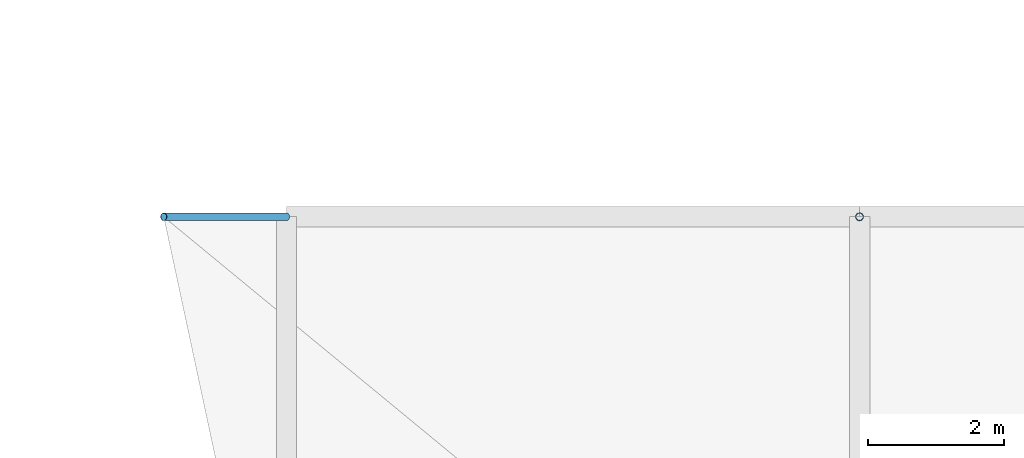
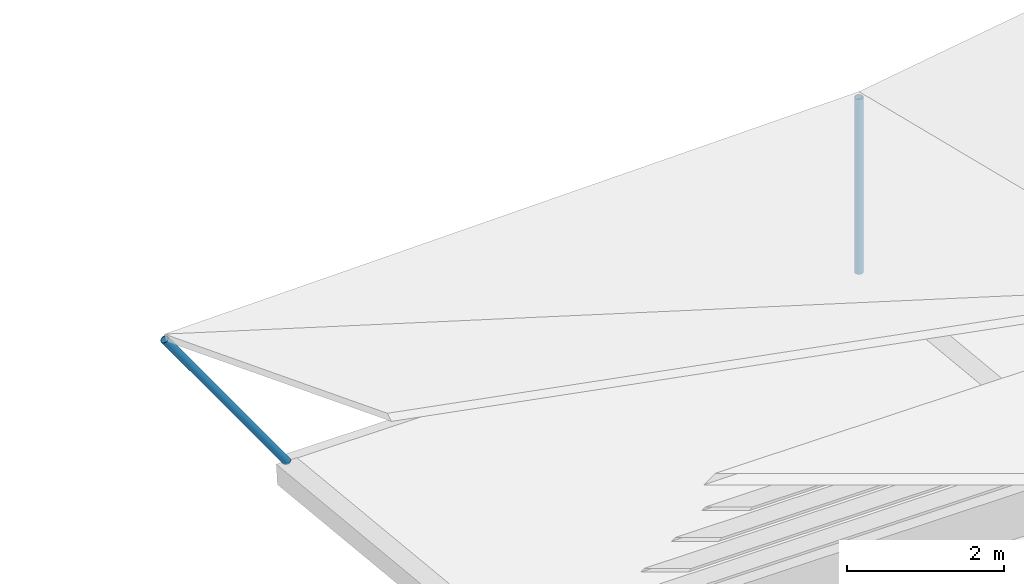
# One storey, part 26 of 46: 2 discrete accessories.
"""IFC4 building model written with IfcOpenShell, lengths in metres."""

import ifcopenshell
import ifcopenshell.guid

model = None  # the IFC model being written
_history = None  # IfcOwnerHistory: only IFC2X3 demands one
_inside = {}  # id of a spatial element -> (the spatial element, [elements in it])
_under = {}  # id of a project, library or spatial element -> (it, [spatial elements below it])
_declared = {}  # id of a project -> (the project, [libraries it declares])
_typed = {}  # id of a type object -> (the type object, [elements of that type])
_made_of = {}  # id of a material, layer set ... -> (it, [elements and type objects made of it])


def new_model(schema):
    """Start an empty IFC model of exactly this schema.

    Asked for "IFC4X3", IfcOpenShell would pick the latest addendum, in which some entities
    have other attributes; the version numbers below select the first issue.
    IFC2X3 requires an IfcOwnerHistory on every rooted entity: one is made here for all.
    """
    global model, _history
    if schema == "IFC4X3":
        model = ifcopenshell.file(schema_version=(4, 3, 0, 0))
    else:
        model = ifcopenshell.file(schema=schema)
    _inside.clear()
    _under.clear()
    _declared.clear()
    _typed.clear()
    _made_of.clear()
    _history = None
    if model.schema == "IFC2X3":
        org = make("IfcOrganization", Name="unknown")
        user = make(
            "IfcPersonAndOrganization",
            ThePerson=make("IfcPerson", FamilyName="unknown"),
            TheOrganization=org,
        )
        app = make(
            "IfcApplication",
            ApplicationDeveloper=org,
            Version="unknown",
            ApplicationFullName="unknown",
            ApplicationIdentifier="unknown",
        )
        _history = make(
            "IfcOwnerHistory",
            OwningUser=user,
            OwningApplication=app,
            ChangeAction="ADDED",
            CreationDate=0,
        )
    return model


def make(cls, **values):
    """One entity of the class cls with the attributes given. An attribute that is None is left unset."""
    return model.create_entity(
        cls, **{name: value for name, value in values.items() if value is not None}
    )


def rooted(cls, **values):
    """An entity with a GlobalId (a new one), such as an element, a storey or a relation."""
    return make(cls, GlobalId=ifcopenshell.guid.new(), OwnerHistory=_history, **values)


def si_unit(unit_type, name, prefix=None):
    """IfcSIUnit, for example si_unit("LENGTHUNIT", "METRE", prefix="MILLI")."""
    return make("IfcSIUnit", UnitType=unit_type, Prefix=prefix, Name=name)


def assignment(units):
    """IfcUnitAssignment: the units of a project."""
    return None if units is None else make("IfcUnitAssignment", Units=units)


def point(xyz):
    """IfcCartesianPoint."""
    return None if xyz is None else make("IfcCartesianPoint", Coordinates=xyz)


def direction(xyz):
    """IfcDirection."""
    return None if xyz is None else make("IfcDirection", DirectionRatios=xyz)


def frame(location, z_axis=None, x_axis=None):
    """IfcAxis2Placement3D, a coordinate frame: its origin and axes. An axis left out is left unset."""
    return make(
        "IfcAxis2Placement3D",
        Location=point(location),
        Axis=direction(z_axis),
        RefDirection=direction(x_axis),
    )


def frame_2d(location, x_axis=None):
    """IfcAxis2Placement2D, a coordinate frame in the plane: its origin and x axis."""
    return make(
        "IfcAxis2Placement2D", Location=point(location), RefDirection=direction(x_axis)
    )


def origin():
    """The frame at (0, 0, 0) with its axes left unset."""
    return frame((0.0, 0.0, 0.0))


def origin_2d():
    """The frame at (0, 0) in the plane with its x axis left unset."""
    return frame_2d((0.0, 0.0))


def place(relative_to, where):
    """IfcLocalPlacement: puts the frame where relative to a parent placement (None: the world)."""
    return make(
        "IfcLocalPlacement", PlacementRelTo=relative_to, RelativePlacement=where
    )


def context(
    kind, dimensions, precision=None, world=None, true_north=None, identifier=None
):
    """IfcGeometricRepresentationContext, for example the 3D "Model" context."""
    return make(
        "IfcGeometricRepresentationContext",
        ContextIdentifier=identifier,
        ContextType=kind,
        CoordinateSpaceDimension=dimensions,
        Precision=precision,
        WorldCoordinateSystem=world,
        TrueNorth=true_north,
    )


def subcontext(parent, identifier, kind, view, scale=None):
    """IfcGeometricRepresentationSubContext, for example "Body" below "Model"."""
    return make(
        "IfcGeometricRepresentationSubContext",
        ContextIdentifier=identifier,
        ContextType=kind,
        ParentContext=parent,
        TargetScale=scale,
        TargetView=view,
    )


def project(units=None, contexts=None):
    """IfcProject with its units and contexts."""
    return rooted(
        "IfcProject",
        Name="project",
        RepresentationContexts=contexts,
        UnitsInContext=assignment(units),
    )


def spatial(cls, under=None, at=None, **own):
    """A site, building, storey or space (cls), placed at a placement, below another one or the project."""
    s = rooted(cls, ObjectPlacement=at, **own)
    if under is not None:
        _under.setdefault(under.id(), (under, []))[1].append(s)
    return s


def profile(cls, at=None, kind="AREA", **sizes):
    """A parametric profile (cls). Its sizes go by their IFC names, for example OverallWidth=200.0."""
    return make(cls, ProfileType=kind, Position=at, **sizes)


def hollow_circle(**sizes):
    """IfcCircleHollowProfileDef."""
    return profile("IfcCircleHollowProfileDef", **sizes)


def extrude(swept, where, along, depth):
    """IfcExtrudedAreaSolid: the profile swept, set in the frame where, extruded along a direction by depth."""
    return make(
        "IfcExtrudedAreaSolid",
        SweptArea=swept,
        Position=where,
        ExtrudedDirection=direction(along),
        Depth=depth,
    )


def shape(context_of_items, identifier, shape_type, items):
    """IfcShapeRepresentation: the items that make up one representation, for example the "Body"."""
    return make(
        "IfcShapeRepresentation",
        ContextOfItems=context_of_items,
        RepresentationIdentifier=identifier,
        RepresentationType=shape_type,
        Items=items,
    )


def material(Name=None, Category=None):
    """IfcMaterial."""
    return make("IfcMaterial", Name=Name, Category=Category)


def material_profile(
    of_material, cross_section, Name=None, Category=None, Priority=None
):
    """IfcMaterialProfile: a cross section and its material."""
    return make(
        "IfcMaterialProfile",
        Name=Name,
        Material=of_material,
        Profile=cross_section,
        Priority=Priority,
        Category=Category,
    )


def profile_set(profiles, Name=None, composite=None):
    """IfcMaterialProfileSet."""
    return make(
        "IfcMaterialProfileSet",
        Name=Name,
        MaterialProfiles=profiles,
        CompositeProfile=composite,
    )


def made_of(thing, what):
    """Note that an element or type object is made of a material, layer set ...; save() writes the relation."""
    if what is not None:
        _made_of.setdefault(what.id(), (what, []))[1].append(thing)
    return thing


def type_object(cls, material=None, **own):
    """A type object (cls), such as IfcWallType, which elements share."""
    return made_of(rooted(cls, **own), material)


def element(
    cls,
    number,
    at=None,
    inside=None,
    cuts=None,
    type_object=None,
    material=None,
    context=None,
    identifier="Body",
    shape_type=None,
    held_by="IfcProductDefinitionShape",
    body=None,
    shapes=None,
    **own,
):
    """One element of the class cls, such as IfcWall. Its Tag is "e" and its number.

    at: its placement. inside: the storey or other place that contains it. cuts: it is an
    opening in that element (IfcRelVoidsElement). A single representation is given by context,
    identifier, shape_type and body (its items); several are given by shapes. held_by: the class
    of the entity that holds the representations. save() writes the other relations.
    """
    e = rooted(cls, Tag="e%d" % number, ObjectPlacement=at, **own)
    if body is not None:
        shapes = [shape(context, identifier, shape_type, body)]
    if shapes is not None:
        e.Representation = make(held_by, Representations=shapes)
    if inside is not None:
        _inside.setdefault(inside.id(), (inside, []))[1].append(e)
    if cuts is not None:
        rooted(
            "IfcRelVoidsElement", RelatingBuildingElement=cuts, RelatedOpeningElement=e
        )
    if type_object is not None:
        _typed.setdefault(type_object.id(), (type_object, []))[1].append(e)
    return made_of(e, material)


def aggregate(whole, parts):
    """IfcRelAggregates: a whole, such as a stair, and the parts it consists of."""
    return rooted("IfcRelAggregates", RelatingObject=whole, RelatedObjects=parts)


def save(model, path):
    """Write the relations noted so far, then the file.

    IfcRelAggregates (storeys below a building ...), IfcRelContainedInSpatialStructure (elements
    in a storey), IfcRelDefinesByType, IfcRelAssociatesMaterial and IfcRelDeclares: one each for
    every whole, place, type object, material and project.
    """
    for whole, parts in _under.values():
        aggregate(whole, parts)
    for where, things in _inside.values():
        rooted(
            "IfcRelContainedInSpatialStructure",
            RelatedElements=things,
            RelatingStructure=where,
        )
    for kind, things in _typed.values():
        rooted("IfcRelDefinesByType", RelatedObjects=things, RelatingType=kind)
    for what, things in _made_of.values():
        rooted("IfcRelAssociatesMaterial", RelatedObjects=things, RelatingMaterial=what)
    for by, libraries in _declared.values():
        rooted("IfcRelDeclares", RelatingContext=by, RelatedDefinitions=libraries)
    model.write(path)


model = new_model("IFC4")

# Units and contexts
model_context = context("Model", 3, precision=1e-05, world=origin(), true_north=direction((0.0, 1.0)))
body_context = subcontext(model_context, "Body", "Model", "MODEL_VIEW")
ifc_project = project(units=[si_unit("LENGTHUNIT", "METRE"), si_unit("AREAUNIT", "SQUARE_METRE"), si_unit("VOLUMEUNIT", "CUBIC_METRE"), si_unit("PLANEANGLEUNIT", "RADIAN"), si_unit("MASSUNIT", "GRAM", prefix="KILO")], contexts=[model_context])

# Site, building, storey
site_placement = place(None, origin())
site = spatial("IfcSite", under=ifc_project, at=site_placement, CompositionType="ELEMENT")
building_placement = place(site_placement, origin())
building = spatial("IfcBuilding", under=site, at=building_placement, Name="Rain Tree Exposition and Congress Centre", CompositionType="ELEMENT")
storey_placement = place(building_placement, frame((0.0, 0.0, 27.0)))
storey = spatial("IfcBuildingStorey", under=building, at=storey_placement, Name="ROOF VAULT CREST", CompositionType="ELEMENT", Elevation=27.0)

# Discrete accessories
ifc_material = material(Name="Steel S355J2H", Category="steel")
ifc_material_profile = material_profile(ifc_material, hollow_circle(Radius=0.05712890625, WallThickness=0.00439453125, at=origin_2d()), Name="CHS 114x4.5")
ifc_profile_set = profile_set([ifc_material_profile], Name="Steel S355J2H")
discrete_accessory_type = type_object("IfcDiscreteAccessoryType", Name="Roof skin post CHS 114x4.5", PredefinedType="BRACKET", material=ifc_profile_set)
discrete_accessory_1_placement = place(storey_placement, frame((142.800048828125, 184.800048828125, 0.551025390625), z_axis=(-0.580351794761, 0.0, 0.814365884795), x_axis=(0.0, -1.0, 0.0)))
element("IfcDiscreteAccessory", 1, at=discrete_accessory_1_placement, inside=storey, type_object=discrete_accessory_type, Name="Roof skin post B131", PredefinedType="BRACKET", context=body_context, shape_type="SweptSolid", body=[
    extrude(hollow_circle(Radius=0.05712890625, WallThickness=0.00439453125, at=origin_2d()), origin(), (0.0, 0.0, 1.0), 3.1015625),
])
discrete_accessory_2_placement = place(storey_placement, frame((151.199951171875, 184.800048828125, 0.551025390625), z_axis=(0.0, 0.0, 1.0), x_axis=(1.0, 0.0, 0.0)))
element("IfcDiscreteAccessory", 2, at=discrete_accessory_2_placement, inside=storey, type_object=discrete_accessory_type, Name="Roof skin post B132", PredefinedType="BRACKET", context=body_context, shape_type="SweptSolid", body=[
    extrude(hollow_circle(Radius=0.05712890625, WallThickness=0.00439453125, at=origin_2d()), origin(), (0.0, 0.0, 1.0), 2.719970703125),
])

save(model, "model.ifc")
